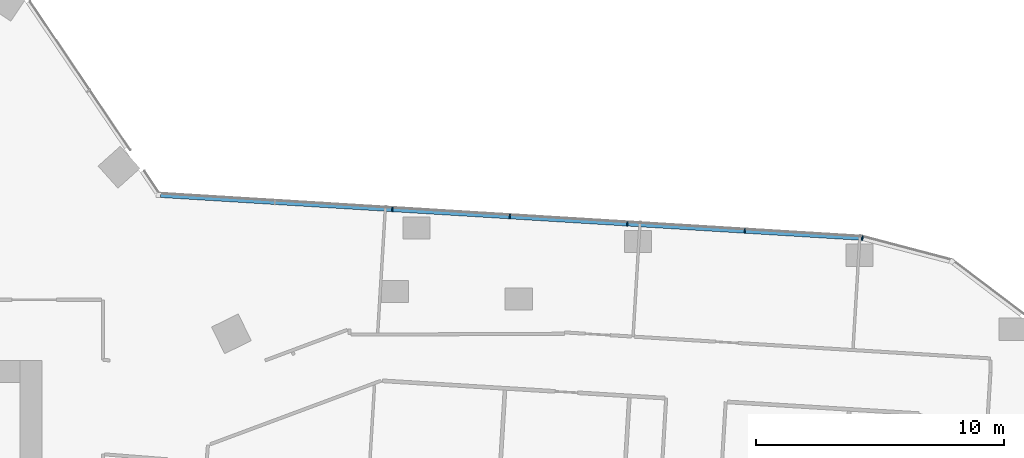
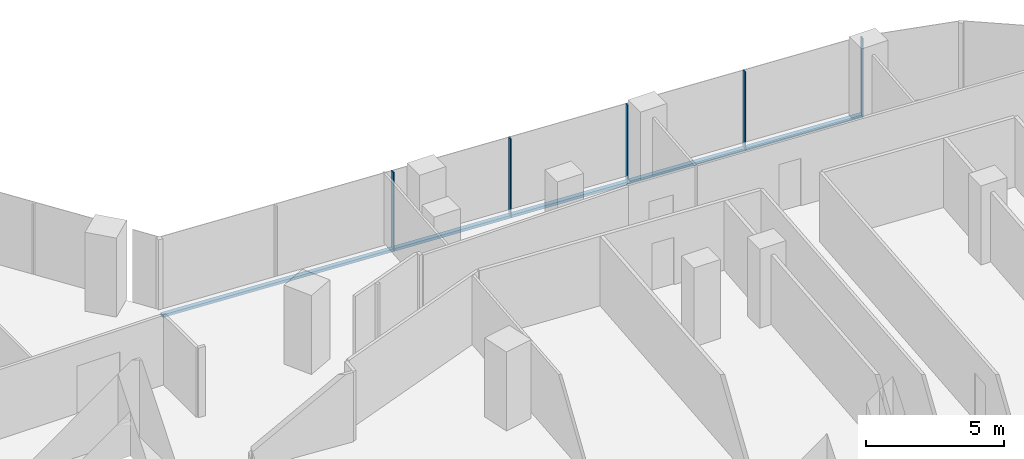
# One storey, part 14 of 32: 6 members, 2 elements without a shape of their own.
"""IFC4 building model written with IfcOpenShell, lengths in metres."""

import ifcopenshell
import ifcopenshell.guid

model = None  # the IFC model being written
_history = None  # IfcOwnerHistory: only IFC2X3 demands one
_inside = {}  # id of a spatial element -> (the spatial element, [elements in it])
_under = {}  # id of a project, library or spatial element -> (it, [spatial elements below it])
_declared = {}  # id of a project -> (the project, [libraries it declares])
_typed = {}  # id of a type object -> (the type object, [elements of that type])
_made_of = {}  # id of a material, layer set ... -> (it, [elements and type objects made of it])


def new_model(schema):
    """Start an empty IFC model of exactly this schema.

    Asked for "IFC4X3", IfcOpenShell would pick the latest addendum, in which some entities
    have other attributes; the version numbers below select the first issue.
    IFC2X3 requires an IfcOwnerHistory on every rooted entity: one is made here for all.
    """
    global model, _history
    if schema == "IFC4X3":
        model = ifcopenshell.file(schema_version=(4, 3, 0, 0))
    else:
        model = ifcopenshell.file(schema=schema)
    _inside.clear()
    _under.clear()
    _declared.clear()
    _typed.clear()
    _made_of.clear()
    _history = None
    if model.schema == "IFC2X3":
        org = make("IfcOrganization", Name="unknown")
        user = make(
            "IfcPersonAndOrganization",
            ThePerson=make("IfcPerson", FamilyName="unknown"),
            TheOrganization=org,
        )
        app = make(
            "IfcApplication",
            ApplicationDeveloper=org,
            Version="unknown",
            ApplicationFullName="unknown",
            ApplicationIdentifier="unknown",
        )
        _history = make(
            "IfcOwnerHistory",
            OwningUser=user,
            OwningApplication=app,
            ChangeAction="ADDED",
            CreationDate=0,
        )
    return model


def make(cls, **values):
    """One entity of the class cls with the attributes given. An attribute that is None is left unset."""
    return model.create_entity(
        cls, **{name: value for name, value in values.items() if value is not None}
    )


def rooted(cls, **values):
    """An entity with a GlobalId (a new one), such as an element, a storey or a relation."""
    return make(cls, GlobalId=ifcopenshell.guid.new(), OwnerHistory=_history, **values)


def si_unit(unit_type, name, prefix=None):
    """IfcSIUnit, for example si_unit("LENGTHUNIT", "METRE", prefix="MILLI")."""
    return make("IfcSIUnit", UnitType=unit_type, Prefix=prefix, Name=name)


def assignment(units):
    """IfcUnitAssignment: the units of a project."""
    return None if units is None else make("IfcUnitAssignment", Units=units)


def point(xyz):
    """IfcCartesianPoint."""
    return None if xyz is None else make("IfcCartesianPoint", Coordinates=xyz)


def direction(xyz):
    """IfcDirection."""
    return None if xyz is None else make("IfcDirection", DirectionRatios=xyz)


def frame(location, z_axis=None, x_axis=None):
    """IfcAxis2Placement3D, a coordinate frame: its origin and axes. An axis left out is left unset."""
    return make(
        "IfcAxis2Placement3D",
        Location=point(location),
        Axis=direction(z_axis),
        RefDirection=direction(x_axis),
    )


def frame_2d(location, x_axis=None):
    """IfcAxis2Placement2D, a coordinate frame in the plane: its origin and x axis."""
    return make(
        "IfcAxis2Placement2D", Location=point(location), RefDirection=direction(x_axis)
    )


def origin():
    """The frame at (0, 0, 0) with its axes left unset."""
    return frame((0.0, 0.0, 0.0))


def origin_2d():
    """The frame at (0, 0) in the plane with its x axis left unset."""
    return frame_2d((0.0, 0.0))


def place(relative_to, where):
    """IfcLocalPlacement: puts the frame where relative to a parent placement (None: the world)."""
    return make(
        "IfcLocalPlacement", PlacementRelTo=relative_to, RelativePlacement=where
    )


def context(
    kind, dimensions, precision=None, world=None, true_north=None, identifier=None
):
    """IfcGeometricRepresentationContext, for example the 3D "Model" context."""
    return make(
        "IfcGeometricRepresentationContext",
        ContextIdentifier=identifier,
        ContextType=kind,
        CoordinateSpaceDimension=dimensions,
        Precision=precision,
        WorldCoordinateSystem=world,
        TrueNorth=true_north,
    )


def subcontext(parent, identifier, kind, view, scale=None):
    """IfcGeometricRepresentationSubContext, for example "Body" below "Model"."""
    return make(
        "IfcGeometricRepresentationSubContext",
        ContextIdentifier=identifier,
        ContextType=kind,
        ParentContext=parent,
        TargetScale=scale,
        TargetView=view,
    )


def project(units=None, contexts=None):
    """IfcProject with its units and contexts."""
    return rooted(
        "IfcProject",
        Name="project",
        RepresentationContexts=contexts,
        UnitsInContext=assignment(units),
    )


def spatial(cls, under=None, at=None, **own):
    """A site, building, storey or space (cls), placed at a placement, below another one or the project."""
    s = rooted(cls, ObjectPlacement=at, **own)
    if under is not None:
        _under.setdefault(under.id(), (under, []))[1].append(s)
    return s


def profile(cls, at=None, kind="AREA", **sizes):
    """A parametric profile (cls). Its sizes go by their IFC names, for example OverallWidth=200.0."""
    return make(cls, ProfileType=kind, Position=at, **sizes)


def rectangle(**sizes):
    """IfcRectangleProfileDef."""
    return profile("IfcRectangleProfileDef", **sizes)


def extrude(swept, where, along, depth):
    """IfcExtrudedAreaSolid: the profile swept, set in the frame where, extruded along a direction by depth."""
    return make(
        "IfcExtrudedAreaSolid",
        SweptArea=swept,
        Position=where,
        ExtrudedDirection=direction(along),
        Depth=depth,
    )


def shape(context_of_items, identifier, shape_type, items):
    """IfcShapeRepresentation: the items that make up one representation, for example the "Body"."""
    return make(
        "IfcShapeRepresentation",
        ContextOfItems=context_of_items,
        RepresentationIdentifier=identifier,
        RepresentationType=shape_type,
        Items=items,
    )


def material(Name=None, Category=None):
    """IfcMaterial."""
    return make("IfcMaterial", Name=Name, Category=Category)


def material_profile(
    of_material, cross_section, Name=None, Category=None, Priority=None
):
    """IfcMaterialProfile: a cross section and its material."""
    return make(
        "IfcMaterialProfile",
        Name=Name,
        Material=of_material,
        Profile=cross_section,
        Priority=Priority,
        Category=Category,
    )


def profile_set(profiles, Name=None, composite=None):
    """IfcMaterialProfileSet."""
    return make(
        "IfcMaterialProfileSet",
        Name=Name,
        MaterialProfiles=profiles,
        CompositeProfile=composite,
    )


def made_of(thing, what):
    """Note that an element or type object is made of a material, layer set ...; save() writes the relation."""
    if what is not None:
        _made_of.setdefault(what.id(), (what, []))[1].append(thing)
    return thing


def type_object(cls, material=None, **own):
    """A type object (cls), such as IfcWallType, which elements share."""
    return made_of(rooted(cls, **own), material)


def element(
    cls,
    number,
    at=None,
    inside=None,
    cuts=None,
    type_object=None,
    material=None,
    context=None,
    identifier="Body",
    shape_type=None,
    held_by="IfcProductDefinitionShape",
    body=None,
    shapes=None,
    **own,
):
    """One element of the class cls, such as IfcWall. Its Tag is "e" and its number.

    at: its placement. inside: the storey or other place that contains it. cuts: it is an
    opening in that element (IfcRelVoidsElement). A single representation is given by context,
    identifier, shape_type and body (its items); several are given by shapes. held_by: the class
    of the entity that holds the representations. save() writes the other relations.
    """
    e = rooted(cls, Tag="e%d" % number, ObjectPlacement=at, **own)
    if body is not None:
        shapes = [shape(context, identifier, shape_type, body)]
    if shapes is not None:
        e.Representation = make(held_by, Representations=shapes)
    if inside is not None:
        _inside.setdefault(inside.id(), (inside, []))[1].append(e)
    if cuts is not None:
        rooted(
            "IfcRelVoidsElement", RelatingBuildingElement=cuts, RelatedOpeningElement=e
        )
    if type_object is not None:
        _typed.setdefault(type_object.id(), (type_object, []))[1].append(e)
    return made_of(e, material)


def aggregate(whole, parts):
    """IfcRelAggregates: a whole, such as a stair, and the parts it consists of."""
    return rooted("IfcRelAggregates", RelatingObject=whole, RelatedObjects=parts)


def save(model, path):
    """Write the relations noted so far, then the file.

    IfcRelAggregates (storeys below a building ...), IfcRelContainedInSpatialStructure (elements
    in a storey), IfcRelDefinesByType, IfcRelAssociatesMaterial and IfcRelDeclares: one each for
    every whole, place, type object, material and project.
    """
    for whole, parts in _under.values():
        aggregate(whole, parts)
    for where, things in _inside.values():
        rooted(
            "IfcRelContainedInSpatialStructure",
            RelatedElements=things,
            RelatingStructure=where,
        )
    for kind, things in _typed.values():
        rooted("IfcRelDefinesByType", RelatedObjects=things, RelatingType=kind)
    for what, things in _made_of.values():
        rooted("IfcRelAssociatesMaterial", RelatedObjects=things, RelatingMaterial=what)
    for by, libraries in _declared.values():
        rooted("IfcRelDeclares", RelatingContext=by, RelatedDefinitions=libraries)
    model.write(path)


model = new_model("IFC4")

# Units and contexts
model_context = context("Model", 3, precision=1e-05, world=origin(), true_north=direction((0.0, 1.0)))
body_context = subcontext(model_context, "Body", "Model", "MODEL_VIEW")
ifc_project = project(units=[si_unit("LENGTHUNIT", "METRE"), si_unit("AREAUNIT", "SQUARE_METRE"), si_unit("VOLUMEUNIT", "CUBIC_METRE"), si_unit("PLANEANGLEUNIT", "RADIAN"), si_unit("MASSUNIT", "GRAM", prefix="KILO")], contexts=[model_context])

# Site, building, storey
site_placement = place(None, origin())
site = spatial("IfcSite", under=ifc_project, at=site_placement, CompositionType="ELEMENT")
building_placement = place(site_placement, origin())
building = spatial("IfcBuilding", under=site, at=building_placement, Name="Orlundy Tower", CompositionType="ELEMENT")
storey_placement = place(building_placement, frame((0.0, 0.0, 149.10009765625)))
storey = spatial("IfcBuildingStorey", under=building, at=storey_placement, Name="L38", CompositionType="ELEMENT", Elevation=149.10009765625)

# Curtain wall, members
ifc_material_1 = material(Name="Aluminium bronze anodised", Category="aluminium")
curtain_wall_type = type_object("IfcCurtainWallType", Name="CW1 wall", PredefinedType="NOTDEFINED", material=ifc_material_1)
curtain_wall_1_placement = place(storey_placement, origin())
curtain_wall_1 = element("IfcCurtainWall", 1, at=curtain_wall_1_placement, inside=storey, type_object=curtain_wall_type, Name="CW1 run 018", PredefinedType="NOTDEFINED")
ifc_material_2 = material(Name="Aluminium bronze anodised", Category="aluminium")
ifc_material_profile_1 = material_profile(ifc_material_2, rectangle(XDim=0.179931640625, YDim=0.050048828125, at=origin_2d()), Name="CW1 mullion 50x180")
ifc_profile_set_1 = profile_set([ifc_material_profile_1], Name="Aluminium bronze anodised")
member_type_1 = type_object("IfcMemberType", Name="CW1 mullion 50x180", PredefinedType="MULLION", material=ifc_profile_set_1)
member_1_placement = place(storey_placement, frame((33.1455078125, 18.10009765625, -0.400146484375), z_axis=(0.0, 0.0, 1.0), x_axis=(0.061053768107, 0.998134478615, 0.0)))
member_1 = element("IfcMember", 2, at=member_1_placement, type_object=member_type_1, Name="CW1 mullion 53", PredefinedType="MULLION", context=body_context, shape_type="SweptSolid", body=[
    extrude(rectangle(XDim=0.179931640625, YDim=0.050048828125, at=origin_2d()), origin(), (0.0, 0.0, 1.0), 3.5),
])
member_2_placement = place(storey_placement, frame((37.89208984375, 17.809814453125, -0.400146484375), z_axis=(0.0, 0.0, 1.0), x_axis=(0.061053768107, 0.998134478615, 0.0)))
member_2 = element("IfcMember", 3, at=member_2_placement, type_object=member_type_1, Name="CW1 mullion 54", PredefinedType="MULLION", context=body_context, shape_type="SweptSolid", body=[
    extrude(rectangle(XDim=0.179931640625, YDim=0.050048828125, at=origin_2d()), origin(), (0.0, 0.0, 1.0), 3.5),
])
member_3_placement = place(storey_placement, frame((42.638427734375, 17.51953125, -0.400146484375), z_axis=(0.0, 0.0, 1.0), x_axis=(0.061053768107, 0.998134478615, 0.0)))
member_3 = element("IfcMember", 4, at=member_3_placement, type_object=member_type_1, Name="CW1 mullion 55", PredefinedType="MULLION", context=body_context, shape_type="SweptSolid", body=[
    extrude(rectangle(XDim=0.179931640625, YDim=0.050048828125, at=origin_2d()), origin(), (0.0, 0.0, 1.0), 3.5),
])
member_4_placement = place(storey_placement, frame((47.385009765625, 17.229248046875, -0.400146484375), z_axis=(0.0, 0.0, 1.0), x_axis=(0.061053768107, 0.998134478615, 0.0)))
member_4 = element("IfcMember", 5, at=member_4_placement, type_object=member_type_1, Name="CW1 mullion 56", PredefinedType="MULLION", context=body_context, shape_type="SweptSolid", body=[
    extrude(rectangle(XDim=0.179931640625, YDim=0.050048828125, at=origin_2d()), origin(), (0.0, 0.0, 1.0), 3.5),
])

# Curtain wall, member
curtain_wall_2_placement = place(storey_placement, origin())
curtain_wall_2 = element("IfcCurtainWall", 6, at=curtain_wall_2_placement, inside=storey, type_object=curtain_wall_type, Name="CW1 run 019", PredefinedType="NOTDEFINED")
member_5_placement = place(storey_placement, frame((52.140380859375, 16.938232421875, -0.400146484375), z_axis=(0.0, 0.0, 1.0), x_axis=(0.158644490134, 0.987335771534, 0.0)))
member_5 = element("IfcMember", 7, at=member_5_placement, type_object=member_type_1, Name="CW1 mullion 57", PredefinedType="MULLION", context=body_context, shape_type="SweptSolid", body=[
    extrude(rectangle(XDim=0.179931640625, YDim=0.050048828125, at=origin_2d()), origin(), (0.0, 0.0, 1.0), 3.5),
])
aggregate(curtain_wall_2, [member_5])

# Member
ifc_material_3 = material(Name="Aluminium bronze anodised", Category="aluminium")
ifc_material_profile_2 = material_profile(ifc_material_3, rectangle(XDim=0.179931640625, YDim=0.1201171875, at=origin_2d()), Name="CW1 transom 180x120")
ifc_profile_set_2 = profile_set([ifc_material_profile_2], Name="Aluminium bronze anodised")
member_type_2 = type_object("IfcMemberType", Name="CW1 transom 180x120", PredefinedType="USERDEFINED", material=ifc_profile_set_2)
member_6_placement = place(storey_placement, frame((23.78662109375, 18.672607421875, -0.340087890625), z_axis=(0.998134768789, -0.061049024028, 0.0), x_axis=(0.061049024028, 0.998134768789, 0.0)))
member_6 = element("IfcMember", 8, at=member_6_placement, type_object=member_type_2, Name="CW1 transom", ObjectType="TRANSOM", PredefinedType="USERDEFINED", context=body_context, shape_type="SweptSolid", body=[
    extrude(rectangle(XDim=0.179931640625, YDim=0.1201171875, at=origin_2d()), origin(), (0.0, 0.0, 1.0), 28.381591796875),
])

aggregate(curtain_wall_1, [member_1, member_2, member_3, member_4, member_6])

save(model, "model.ifc")
